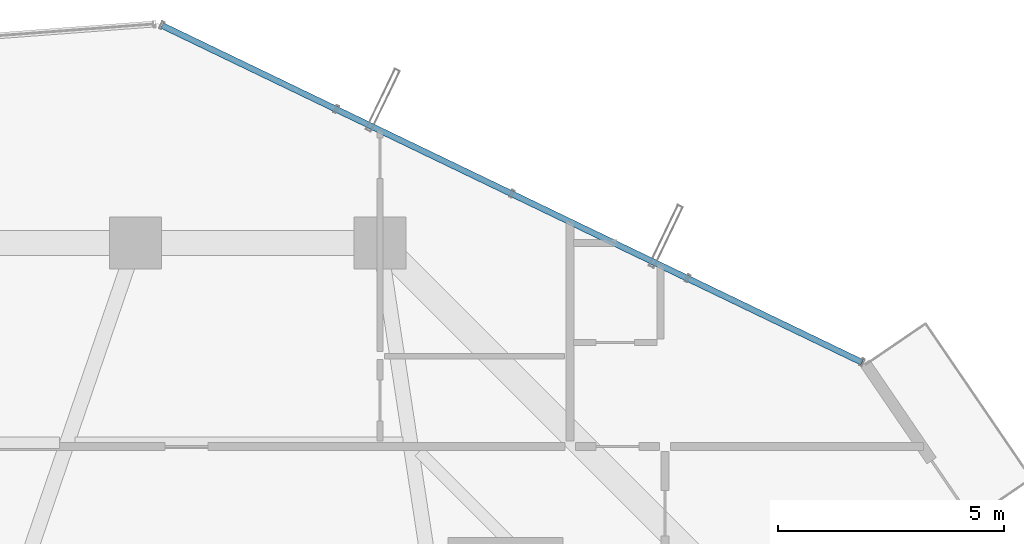
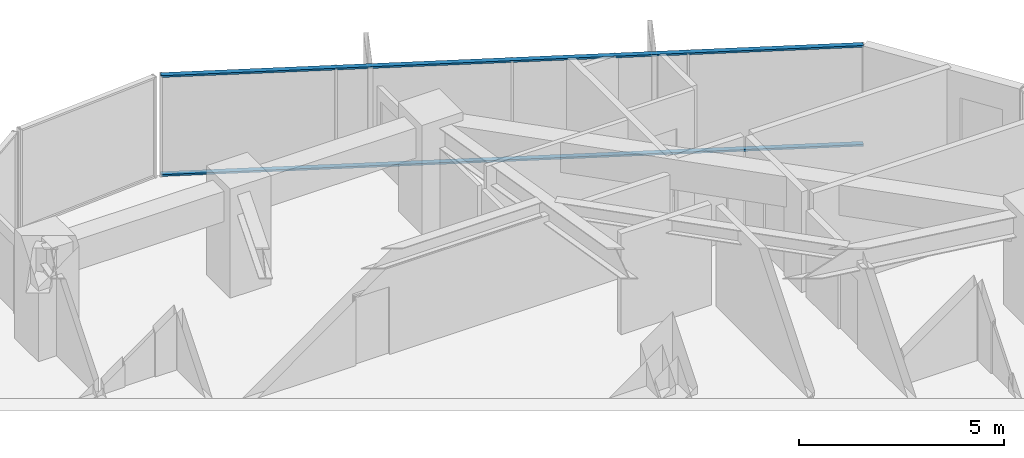
# One storey, part 26 of 35: 2 members, 1 element without a shape of its own.
"""IFC4 building model written with IfcOpenShell, lengths in metres."""

from ifc_helpers import new_model, si_unit, direction, frame, origin, origin_2d, place, context, subcontext, project, spatial, hollow_rectangle, extrude, source, transform, mapped, material, layer, layer_set, material_profile, profile_set, type_object, element, aggregate, save


model = new_model("IFC4")

# Units and contexts
model_context = context("Model", 3, precision=1e-05, world=origin(), true_north=direction((0.0, 1.0)))
body_context = subcontext(model_context, "Body", "Model", "MODEL_VIEW")
ifc_project = project(units=[si_unit("LENGTHUNIT", "METRE"), si_unit("AREAUNIT", "SQUARE_METRE"), si_unit("VOLUMEUNIT", "CUBIC_METRE"), si_unit("PLANEANGLEUNIT", "RADIAN"), si_unit("MASSUNIT", "GRAM", prefix="KILO")], contexts=[model_context])

# Site, building, storey
site_placement = place(None, origin())
site = spatial("IfcSite", under=ifc_project, at=site_placement, CompositionType="ELEMENT")
building_placement = place(site_placement, origin())
building = spatial("IfcBuilding", under=site, at=building_placement, Name="Veraguas Prism Commons", CompositionType="ELEMENT")
storey_placement = place(building_placement, frame((0.0, 0.0, 142.5)))
storey = spatial("IfcBuildingStorey", under=building, at=storey_placement, Name="L40", CompositionType="ELEMENT", Elevation=142.5)

# Curtain wall, members
ifc_material = material(Name="Anodised aluminium EN AW-6063 T6", Category="aluminium")
ifc_layer = layer(ifc_material, 0.169921875, Name="Unitised Flush Curtain Wall Zone 2", Category="aluminium")
ifc_layer_set = layer_set([ifc_layer], Name="Anodised aluminium EN AW-6063 T6")
curtain_wall_type = type_object("IfcCurtainWallType", Name="Unitised Flush Curtain Wall Zone 2", PredefinedType="NOTDEFINED", material=ifc_layer_set)
curtain_wall_placement = place(storey_placement, origin())
curtain_wall = element("IfcCurtainWall", 1, at=curtain_wall_placement, inside=storey, type_object=curtain_wall_type, Name="Tower Facade Curtain Wall L40-F1", PredefinedType="NOTDEFINED")
ifc_material_profile = material_profile(ifc_material, hollow_rectangle(XDim=0.054931640625, YDim=0.135009765625, WallThickness=0.0029296875, at=origin_2d()), Name="AL55X135X3")
ifc_profile_set = profile_set([ifc_material_profile], Name="Anodised aluminium EN AW-6063 T6")
member_type = type_object("IfcMemberType", Name="Curtain Wall Transom Standard AL 55x135x3", PredefinedType="USERDEFINED", material=ifc_profile_set)
shared_shape = source(origin(), body_context, "Body", "SweptSolid", [
    extrude(hollow_rectangle(XDim=0.054931640625, YDim=0.135009765625, WallThickness=0.0029296875, at=origin_2d()), origin(), (0.0, 0.0, 1.0), 17.174560546875),
])
member_1_placement = place(storey_placement, frame((40.056396484375, 37.560791015625, 0.027587890625), z_axis=(-0.901074711845, 0.433663883294, 0.0), x_axis=(0.0, 0.0, 1.0)))
member_1 = element("IfcMember", 2, at=member_1_placement, type_object=member_type, Name="CW-Z2 Transom 1", ObjectType="TRANSOM", PredefinedType="USERDEFINED", context=body_context, shape_type="MappedRepresentation", body=[
    mapped(shared_shape, transform((0.0, 0.0, 0.0), scale=1.0)),
])
member_2_placement = place(storey_placement, frame((40.056396484375, 37.560791015625, 2.972412109375), z_axis=(-0.901074711845, 0.433663883294, 0.0), x_axis=(0.0, 0.0, 1.0)))
member_2 = element("IfcMember", 3, at=member_2_placement, type_object=member_type, Name="CW-Z2 Transom 2", ObjectType="TRANSOM", PredefinedType="USERDEFINED", context=body_context, shape_type="MappedRepresentation", body=[
    mapped(shared_shape, transform((0.0, 0.0, 0.0), scale=1.0)),
])
aggregate(curtain_wall, [member_1, member_2])

save(model, "model.ifc")
